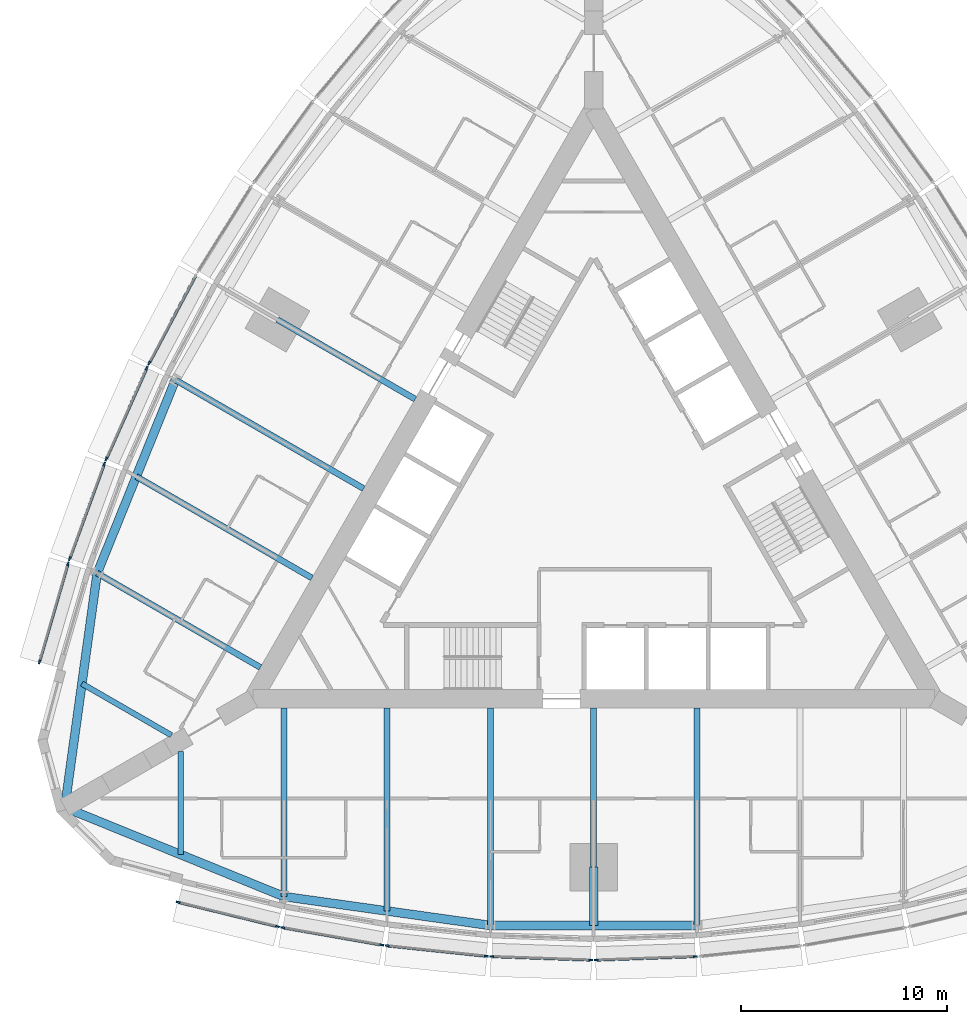
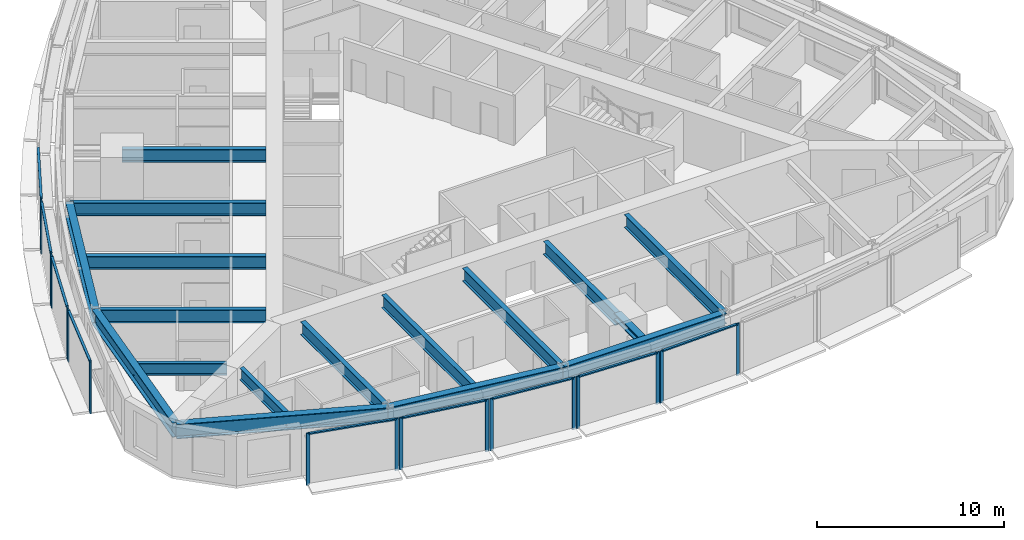
# One storey, part 2 of 14: 26 members, 17 beams, 9 elements without a shape of their own.
"""IFC4 building model written with IfcOpenShell, lengths in metres."""

from ifc_helpers import new_model, si_unit, direction, frame, origin, origin_2d, place, context, subcontext, project, spatial, rectangle, i_section, extrude, material, material_profile, profile_set, type_object, element, aggregate, save


model = new_model("IFC4")

# Units and contexts
model_context = context("Model", 3, precision=1e-05, world=origin(), true_north=direction((0.0, 1.0)))
body_context = subcontext(model_context, "Body", "Model", "MODEL_VIEW")
ifc_project = project(units=[si_unit("LENGTHUNIT", "METRE"), si_unit("AREAUNIT", "SQUARE_METRE"), si_unit("VOLUMEUNIT", "CUBIC_METRE"), si_unit("PLANEANGLEUNIT", "RADIAN"), si_unit("MASSUNIT", "GRAM", prefix="KILO")], contexts=[model_context])

# Site, building, storey
site_placement = place(None, origin())
site = spatial("IfcSite", under=ifc_project, at=site_placement, CompositionType="ELEMENT")
building_placement = place(site_placement, origin())
building = spatial("IfcBuilding", under=site, at=building_placement, Name="Trikona Tower", CompositionType="ELEMENT")
storey_placement = place(building_placement, frame((0.0, 0.0, 135.10009765625)))
storey = spatial("IfcBuildingStorey", under=building, at=storey_placement, Name="L35", CompositionType="ELEMENT", Elevation=135.10009765625)

# Curtain wall, members
ifc_material_1 = material(Name="Aluminium curtain wall system", Category="aluminium")
curtain_wall_type = type_object("IfcCurtainWallType", Name="Curtain wall DS2", PredefinedType="NOTDEFINED", material=ifc_material_1)
curtain_wall_1_placement = place(storey_placement, origin())
curtain_wall_1 = element("IfcCurtainWall", 1, at=curtain_wall_1_placement, inside=storey, type_object=curtain_wall_type, Name="Curtain wall DS2 L35", PredefinedType="NOTDEFINED")
ifc_material_2 = material(Name="Aluminium mullion, pale anodised", Category="aluminium")
ifc_material_profile_1 = material_profile(ifc_material_2, rectangle(XDim=0.080078125, YDim=0.199951171875, at=origin_2d()), Name="MUL-DS2")
ifc_profile_set_1 = profile_set([ifc_material_profile_1], Name="Aluminium mullion, pale anodised")
member_type_1 = type_object("IfcMemberType", Name="Mullion DS2 80x200", PredefinedType="MULLION", material=ifc_profile_set_1)
member_1_placement = place(storey_placement, frame((-20.116943359375, -19.373046875, 0.0), z_axis=(0.0, 0.0, 1.0), x_axis=(0.237970204243, 0.971272455026, 0.0)))
member_1 = element("IfcMember", 2, at=member_1_placement, type_object=member_type_1, Name="CW-DS2 mullion 1", PredefinedType="MULLION", context=body_context, shape_type="SweptSolid", body=[
    extrude(rectangle(XDim=0.080078125, YDim=0.199951171875, at=origin_2d()), origin(), (0.0, 0.0, 1.0), 3.39990234375),
])
member_2_placement = place(storey_placement, frame((-15.311279296875, -20.550537109375, 0.0), z_axis=(0.0, 0.0, 1.0), x_axis=(0.237970204243, 0.971272455026, 0.0)))
member_2 = element("IfcMember", 3, at=member_2_placement, type_object=member_type_1, Name="CW-DS2 mullion 2", PredefinedType="MULLION", context=body_context, shape_type="SweptSolid", body=[
    extrude(rectangle(XDim=0.080078125, YDim=0.199951171875, at=origin_2d()), origin(), (0.0, 0.0, 1.0), 3.39990234375),
])

curtain_wall_2_placement = place(storey_placement, origin())
curtain_wall_2 = element("IfcCurtainWall", 4, at=curtain_wall_2_placement, inside=storey, type_object=curtain_wall_type, Name="Curtain wall DS2 L35", PredefinedType="NOTDEFINED")
member_3_placement = place(storey_placement, frame((-15.056640625, -20.60400390625, 0.0), z_axis=(0.0, 0.0, 1.0), x_axis=(0.17237739505, 0.985030981074, 0.0)))
member_3 = element("IfcMember", 5, at=member_3_placement, type_object=member_type_1, Name="CW-DS2 mullion 1", PredefinedType="MULLION", context=body_context, shape_type="SweptSolid", body=[
    extrude(rectangle(XDim=0.080078125, YDim=0.199951171875, at=origin_2d()), origin(), (0.0, 0.0, 1.0), 3.39990234375),
])
member_4_placement = place(storey_placement, frame((-10.253662109375, -21.444580078125, 0.0), z_axis=(0.0, 0.0, 1.0), x_axis=(0.17237739505, 0.985030981074, 0.0)))
member_4 = element("IfcMember", 6, at=member_4_placement, type_object=member_type_1, Name="CW-DS2 mullion 2", PredefinedType="MULLION", context=body_context, shape_type="SweptSolid", body=[
    extrude(rectangle(XDim=0.080078125, YDim=0.199951171875, at=origin_2d()), origin(), (0.0, 0.0, 1.0), 3.39990234375),
])

curtain_wall_3_placement = place(storey_placement, origin())
curtain_wall_3 = element("IfcCurtainWall", 7, at=curtain_wall_3_placement, inside=storey, type_object=curtain_wall_type, Name="Curtain wall DS2 L35", PredefinedType="NOTDEFINED")
member_5_placement = place(storey_placement, frame((-9.99462890625, -21.480712890625, 0.0), z_axis=(0.0, 0.0, 1.0), x_axis=(0.104433387357, 0.994531883654, 0.0)))
member_5 = element("IfcMember", 8, at=member_5_placement, type_object=member_type_1, Name="CW-DS2 mullion 1", PredefinedType="MULLION", context=body_context, shape_type="SweptSolid", body=[
    extrude(rectangle(XDim=0.080078125, YDim=0.199951171875, at=origin_2d()), origin(), (0.0, 0.0, 1.0), 3.39990234375),
])
member_6_placement = place(storey_placement, frame((-5.193359375, -21.98486328125, 0.0), z_axis=(0.0, 0.0, 1.0), x_axis=(0.104433387357, 0.994531883654, 0.0)))
member_6 = element("IfcMember", 9, at=member_6_placement, type_object=member_type_1, Name="CW-DS2 mullion 2", PredefinedType="MULLION", context=body_context, shape_type="SweptSolid", body=[
    extrude(rectangle(XDim=0.080078125, YDim=0.199951171875, at=origin_2d()), origin(), (0.0, 0.0, 1.0), 3.39990234375),
])

curtain_wall_4_placement = place(storey_placement, origin())
curtain_wall_4 = element("IfcCurtainWall", 10, at=curtain_wall_4_placement, inside=storey, type_object=curtain_wall_type, Name="Curtain wall DS2 L35", PredefinedType="NOTDEFINED")
member_7_placement = place(storey_placement, frame((-4.931640625, -22.003173828125, 0.0), z_axis=(0.0, 0.0, 1.0), x_axis=(0.034998320052, 0.99938737114, 0.0)))
member_7 = element("IfcMember", 11, at=member_7_placement, type_object=member_type_1, Name="CW-DS2 mullion 1", PredefinedType="MULLION", context=body_context, shape_type="SweptSolid", body=[
    extrude(rectangle(XDim=0.080078125, YDim=0.199951171875, at=origin_2d()), origin(), (0.0, 0.0, 1.0), 3.39990234375),
])
member_8_placement = place(storey_placement, frame((-0.13134765625, -22.171142578125, 0.0), z_axis=(0.0, 0.0, 1.0), x_axis=(0.034998320052, 0.99938737114, 0.0)))
member_8 = element("IfcMember", 12, at=member_8_placement, type_object=member_type_1, Name="CW-DS2 mullion 2", PredefinedType="MULLION", context=body_context, shape_type="SweptSolid", body=[
    extrude(rectangle(XDim=0.080078125, YDim=0.199951171875, at=origin_2d()), origin(), (0.0, 0.0, 1.0), 3.39990234375),
])

curtain_wall_5_placement = place(storey_placement, origin())
curtain_wall_5 = element("IfcCurtainWall", 13, at=curtain_wall_5_placement, inside=storey, type_object=curtain_wall_type, Name="Curtain wall DS2 L35", PredefinedType="NOTDEFINED")
member_9_placement = place(storey_placement, frame((0.13134765625, -22.171142578125, 0.0), z_axis=(0.0, 0.0, 1.0), x_axis=(-0.034998320052, 0.99938737114, 0.0)))
member_9 = element("IfcMember", 14, at=member_9_placement, type_object=member_type_1, Name="CW-DS2 mullion 1", PredefinedType="MULLION", context=body_context, shape_type="SweptSolid", body=[
    extrude(rectangle(XDim=0.080078125, YDim=0.199951171875, at=origin_2d()), origin(), (0.0, 0.0, 1.0), 3.39990234375),
])
member_10_placement = place(storey_placement, frame((4.931640625, -22.003173828125, 0.0), z_axis=(0.0, 0.0, 1.0), x_axis=(-0.034998320052, 0.99938737114, 0.0)))
member_10 = element("IfcMember", 15, at=member_10_placement, type_object=member_type_1, Name="CW-DS2 mullion 2", PredefinedType="MULLION", context=body_context, shape_type="SweptSolid", body=[
    extrude(rectangle(XDim=0.080078125, YDim=0.199951171875, at=origin_2d()), origin(), (0.0, 0.0, 1.0), 3.39990234375),
])

# Curtain wall, member
curtain_wall_6_placement = place(storey_placement, origin())
curtain_wall_6 = element("IfcCurtainWall", 16, at=curtain_wall_6_placement, inside=storey, type_object=curtain_wall_type, Name="Curtain wall DS2 L35", PredefinedType="NOTDEFINED")
member_11_placement = place(storey_placement, frame((-21.52099609375, 6.730712890625, 0.0), z_axis=(0.0, 0.0, 1.0), x_axis=(0.882996107343, -0.469380308937, 0.0)))
member_11 = element("IfcMember", 17, at=member_11_placement, type_object=member_type_1, Name="CW-DS2 mullion 2", PredefinedType="MULLION", context=body_context, shape_type="SweptSolid", body=[
    extrude(rectangle(XDim=0.080078125, YDim=0.199951171875, at=origin_2d()), origin(), (0.0, 0.0, 1.0), 3.39990234375),
])

# Curtain wall, members
curtain_wall_7_placement = place(storey_placement, origin())
curtain_wall_7 = element("IfcCurtainWall", 18, at=curtain_wall_7_placement, inside=storey, type_object=curtain_wall_type, Name="Curtain wall DS2 L35", PredefinedType="NOTDEFINED")
member_12_placement = place(storey_placement, frame((-21.63623046875, 6.494873046875, 0.0), z_axis=(0.0, 0.0, 1.0), x_axis=(0.913501208767, -0.406836013132, 0.0)))
member_12 = element("IfcMember", 19, at=member_12_placement, type_object=member_type_1, Name="CW-DS2 mullion 1", PredefinedType="MULLION", context=body_context, shape_type="SweptSolid", body=[
    extrude(rectangle(XDim=0.080078125, YDim=0.199951171875, at=origin_2d()), origin(), (0.0, 0.0, 1.0), 3.39990234375),
])
member_13_placement = place(storey_placement, frame((-23.60009765625, 2.0849609375, 0.0), z_axis=(0.0, 0.0, 1.0), x_axis=(0.913501208767, -0.406836013132, 0.0)))
member_13 = element("IfcMember", 20, at=member_13_placement, type_object=member_type_1, Name="CW-DS2 mullion 2", PredefinedType="MULLION", context=body_context, shape_type="SweptSolid", body=[
    extrude(rectangle(XDim=0.080078125, YDim=0.199951171875, at=origin_2d()), origin(), (0.0, 0.0, 1.0), 3.39990234375),
])

curtain_wall_8_placement = place(storey_placement, origin())
curtain_wall_8 = element("IfcCurtainWall", 21, at=curtain_wall_8_placement, inside=storey, type_object=curtain_wall_type, Name="Curtain wall DS2 L35", PredefinedType="NOTDEFINED")
member_14_placement = place(storey_placement, frame((-23.6982421875, 1.84228515625, 0.0), z_axis=(0.0, 0.0, 1.0), x_axis=(0.939253790978, -0.343223420143, 0.0)))
member_14 = element("IfcMember", 22, at=member_14_placement, type_object=member_type_1, Name="CW-DS2 mullion 1", PredefinedType="MULLION", context=body_context, shape_type="SweptSolid", body=[
    extrude(rectangle(XDim=0.080078125, YDim=0.199951171875, at=origin_2d()), origin(), (0.0, 0.0, 1.0), 3.39990234375),
])
member_15_placement = place(storey_placement, frame((-25.371826171875, -2.737548828125, 0.0), z_axis=(0.0, 0.0, 1.0), x_axis=(0.939253790978, -0.343223420143, 0.0)))
member_15 = element("IfcMember", 23, at=member_15_placement, type_object=member_type_1, Name="CW-DS2 mullion 2", PredefinedType="MULLION", context=body_context, shape_type="SweptSolid", body=[
    extrude(rectangle(XDim=0.080078125, YDim=0.199951171875, at=origin_2d()), origin(), (0.0, 0.0, 1.0), 3.39990234375),
])

curtain_wall_9_placement = place(storey_placement, origin())
curtain_wall_9 = element("IfcCurtainWall", 24, at=curtain_wall_9_placement, inside=storey, type_object=curtain_wall_type, Name="Curtain wall DS2 L35", PredefinedType="NOTDEFINED")
member_16_placement = place(storey_placement, frame((-25.452880859375, -2.984619140625, 0.0), z_axis=(0.0, 0.0, 1.0), x_axis=(0.96013310152, -0.279543247757, 0.0)))
member_16 = element("IfcMember", 25, at=member_16_placement, type_object=member_type_1, Name="CW-DS2 mullion 1", PredefinedType="MULLION", context=body_context, shape_type="SweptSolid", body=[
    extrude(rectangle(XDim=0.080078125, YDim=0.199951171875, at=origin_2d()), origin(), (0.0, 0.0, 1.0), 3.39990234375),
])
member_17_placement = place(storey_placement, frame((-26.836181640625, -7.7353515625, 0.0), z_axis=(0.0, 0.0, 1.0), x_axis=(0.96013310152, -0.279543247757, 0.0)))
member_17 = element("IfcMember", 26, at=member_17_placement, type_object=member_type_1, Name="CW-DS2 mullion 2", PredefinedType="MULLION", context=body_context, shape_type="SweptSolid", body=[
    extrude(rectangle(XDim=0.080078125, YDim=0.199951171875, at=origin_2d()), origin(), (0.0, 0.0, 1.0), 3.39990234375),
])

# Beams
ifc_material_3 = material(Name="Steel ASTM A992 Grade 50", Category="steel")
ifc_material_profile_2 = material_profile(ifc_material_3, i_section(OverallWidth=0.419189453125, OverallDepth=0.45458984375, WebThickness=0.042236328125, FlangeThickness=0.067626953125, at=origin_2d()), Name="W14X370")
ifc_profile_set_2 = profile_set([ifc_material_profile_2], Name="Steel ASTM A992 Grade 50")
beam_type_1 = type_object("IfcBeamType", Name="Steel beam W14x370 (apex bracket)", PredefinedType="BEAM", material=ifc_profile_set_2)
beam_1_placement = place(storey_placement, frame((0.0, -17.680419921875, 3.007568359375), z_axis=(0.0, -1.0, 0.0), x_axis=(1.0, 0.0, 0.0)))
element("IfcBeam", 27, at=beam_1_placement, inside=storey, type_object=beam_type_1, Name="Cantilever bracket L36 F1", PredefinedType="BEAM", context=body_context, shape_type="SweptSolid", body=[
    extrude(i_section(OverallWidth=0.419189453125, OverallDepth=0.45458984375, WebThickness=0.042236328125, FlangeThickness=0.067626953125, at=origin_2d()), origin(), (0.0, 0.0, 1.0), 2.81982421875),
])
ifc_material_4 = material(Name="Steel ASTM A992 Grade 50", Category="steel")
ifc_material_profile_3 = material_profile(ifc_material_4, i_section(OverallWidth=0.2666015625, OverallDepth=0.76953125, WebThickness=0.015625, FlangeThickness=0.025390625, at=origin_2d()), Name="W30X132")
ifc_profile_set_3 = profile_set([ifc_material_profile_3], Name="Steel ASTM A992 Grade 50")
beam_type_2 = type_object("IfcBeamType", Name="Steel beam W30x132 (wedge)", PredefinedType="BEAM", material=ifc_profile_set_3)
beam_2_placement = place(storey_placement, frame((-20.0, -12.066650390625, 2.85009765625), z_axis=(0.0, -1.0, 0.0), x_axis=(1.0, 0.0, 0.0)))
element("IfcBeam", 28, at=beam_2_placement, inside=storey, type_object=beam_type_2, Name="Floor beam L36 F1 u-20", PredefinedType="BEAM", context=body_context, shape_type="SweptSolid", body=[
    extrude(i_section(OverallWidth=0.2666015625, OverallDepth=0.76953125, WebThickness=0.015625, FlangeThickness=0.025390625, at=origin_2d()), origin(), (0.0, 0.0, 1.0), 5.00048828125),
])
beam_3_placement = place(storey_placement, frame((-20.449951171875, -11.287109375, 2.85009765625), z_axis=(-0.866038434829, 0.49997742889, 0.0), x_axis=(-0.49997742889, -0.866038434829, 0.0)))
element("IfcBeam", 29, at=beam_3_placement, inside=storey, type_object=beam_type_2, Name="Floor beam L36 F3 u20", PredefinedType="BEAM", context=body_context, shape_type="SweptSolid", body=[
    extrude(i_section(OverallWidth=0.2666015625, OverallDepth=0.76953125, WebThickness=0.015625, FlangeThickness=0.025390625, at=origin_2d()), origin(), (0.0, 0.0, 1.0), 5.000732421875),
])
ifc_material_5 = material(Name="Steel ASTM A992 Grade 50", Category="steel")
ifc_material_profile_4 = material_profile(ifc_material_5, i_section(OverallWidth=0.2919921875, OverallDepth=0.845703125, WebThickness=0.015380859375, FlangeThickness=0.0244140625, at=origin_2d()), Name="W33X141")
ifc_profile_set_4 = profile_set([ifc_material_profile_4], Name="Steel ASTM A992 Grade 50")
beam_type_3 = type_object("IfcBeamType", Name="Steel beam W33x141 (radial typ)", PredefinedType="BEAM", material=ifc_profile_set_4)
beam_4_placement = place(storey_placement, frame((-15.0, -9.976318359375, 2.81201171875), z_axis=(0.0, -1.0, 0.0), x_axis=(1.0, 0.0, 0.0)))
element("IfcBeam", 30, at=beam_4_placement, inside=storey, type_object=beam_type_3, Name="Floor beam L36 F1 u-15", PredefinedType="BEAM", context=body_context, shape_type="SweptSolid", body=[
    extrude(i_section(OverallWidth=0.2919921875, OverallDepth=0.845703125, WebThickness=0.015380859375, FlangeThickness=0.0244140625, at=origin_2d()), origin(), (0.0, 0.0, 1.0), 9.123779296875),
])
beam_5_placement = place(storey_placement, frame((-10.0, -9.976318359375, 2.81201171875), z_axis=(0.0, -1.0, 0.0), x_axis=(1.0, 0.0, 0.0)))
element("IfcBeam", 31, at=beam_5_placement, inside=storey, type_object=beam_type_3, Name="Floor beam L36 F1 u-10", PredefinedType="BEAM", context=body_context, shape_type="SweptSolid", body=[
    extrude(i_section(OverallWidth=0.2919921875, OverallDepth=0.845703125, WebThickness=0.015380859375, FlangeThickness=0.0244140625, at=origin_2d()), origin(), (0.0, 0.0, 1.0), 9.823974609375),
])
beam_6_placement = place(storey_placement, frame((-5.0, -9.976318359375, 2.81201171875), z_axis=(0.0, -1.0, 0.0), x_axis=(1.0, 0.0, 0.0)))
element("IfcBeam", 32, at=beam_6_placement, inside=storey, type_object=beam_type_3, Name="Floor beam L36 F1 u-5", PredefinedType="BEAM", context=body_context, shape_type="SweptSolid", body=[
    extrude(i_section(OverallWidth=0.2919921875, OverallDepth=0.845703125, WebThickness=0.015380859375, FlangeThickness=0.0244140625, at=origin_2d()), origin(), (0.0, 0.0, 1.0), 10.52392578125),
])
beam_7_placement = place(storey_placement, frame((0.0, -9.976318359375, 2.81201171875), z_axis=(0.0, -1.0, 0.0), x_axis=(1.0, 0.0, 0.0)))
element("IfcBeam", 33, at=beam_7_placement, inside=storey, type_object=beam_type_3, Name="Floor beam L36 F1 u0", PredefinedType="BEAM", context=body_context, shape_type="SweptSolid", body=[
    extrude(i_section(OverallWidth=0.2919921875, OverallDepth=0.845703125, WebThickness=0.015380859375, FlangeThickness=0.0244140625, at=origin_2d()), origin(), (0.0, 0.0, 1.0), 7.7041015625),
])
beam_8_placement = place(storey_placement, frame((5.0, -9.976318359375, 2.81201171875), z_axis=(0.0, -1.0, 0.0), x_axis=(1.0, 0.0, 0.0)))
element("IfcBeam", 34, at=beam_8_placement, inside=storey, type_object=beam_type_3, Name="Floor beam L36 F1 u5", PredefinedType="BEAM", context=body_context, shape_type="SweptSolid", body=[
    extrude(i_section(OverallWidth=0.2919921875, OverallDepth=0.845703125, WebThickness=0.015380859375, FlangeThickness=0.0244140625, at=origin_2d()), origin(), (0.0, 0.0, 1.0), 10.52392578125),
])
beam_9_placement = place(storey_placement, frame((-8.6396484375, 4.988037109375, 2.81201171875), z_axis=(-0.866017246294, 0.500014128921, 0.0), x_axis=(-0.500014128921, -0.866017246294, 0.0)))
element("IfcBeam", 35, at=beam_9_placement, inside=storey, type_object=beam_type_3, Name="Floor beam L36 F3 u0", PredefinedType="BEAM", context=body_context, shape_type="SweptSolid", body=[
    extrude(i_section(OverallWidth=0.2919921875, OverallDepth=0.845703125, WebThickness=0.015380859375, FlangeThickness=0.0244140625, at=origin_2d()), origin(), (0.0, 0.0, 1.0), 7.704345703125),
])
beam_10_placement = place(storey_placement, frame((-11.1396484375, 0.657958984375, 2.81201171875), z_axis=(-0.866026035623, 0.499998905622, 0.0), x_axis=(-0.499998905622, -0.866026035623, 0.0)))
element("IfcBeam", 36, at=beam_10_placement, inside=storey, type_object=beam_type_3, Name="Floor beam L36 F3 u5", PredefinedType="BEAM", context=body_context, shape_type="SweptSolid", body=[
    extrude(i_section(OverallWidth=0.2919921875, OverallDepth=0.845703125, WebThickness=0.015380859375, FlangeThickness=0.0244140625, at=origin_2d()), origin(), (0.0, 0.0, 1.0), 10.52392578125),
])
beam_11_placement = place(storey_placement, frame((-13.6396484375, -3.672119140625, 2.81201171875), z_axis=(-0.866020046725, 0.500009278584, 0.0), x_axis=(-0.500009278584, -0.866020046725, 0.0)))
element("IfcBeam", 37, at=beam_11_placement, inside=storey, type_object=beam_type_3, Name="Floor beam L36 F3 u10", PredefinedType="BEAM", context=body_context, shape_type="SweptSolid", body=[
    extrude(i_section(OverallWidth=0.2919921875, OverallDepth=0.845703125, WebThickness=0.015380859375, FlangeThickness=0.0244140625, at=origin_2d()), origin(), (0.0, 0.0, 1.0), 9.823974609375),
])
beam_12_placement = place(storey_placement, frame((-16.1396484375, -8.002197265625, 2.81201171875), z_axis=(-0.866024725532, 0.500001174766, 0.0), x_axis=(-0.500001174766, -0.866024725532, 0.0)))
element("IfcBeam", 38, at=beam_12_placement, inside=storey, type_object=beam_type_3, Name="Floor beam L36 F3 u15", PredefinedType="BEAM", context=body_context, shape_type="SweptSolid", body=[
    extrude(i_section(OverallWidth=0.2919921875, OverallDepth=0.845703125, WebThickness=0.015380859375, FlangeThickness=0.0244140625, at=origin_2d()), origin(), (0.0, 0.0, 1.0), 9.1240234375),
])
ifc_material_6 = material(Name="Steel ASTM A992 Grade 50", Category="steel")
ifc_material_profile_5 = material_profile(ifc_material_6, i_section(OverallWidth=0.424072265625, OverallDepth=0.947509765625, WebThickness=0.02392578125, FlangeThickness=0.042724609375, at=origin_2d()), Name="W36X302")
ifc_profile_set_5 = profile_set([ifc_material_profile_5], Name="Steel ASTM A992 Grade 50")
beam_type_4 = type_object("IfcBeamType", Name="Steel beam W36x302 (spandrel)", PredefinedType="SPANDREL", material=ifc_profile_set_5)
beam_13_placement = place(storey_placement, frame((-25.6103515625, -14.7861328125, 2.76123046875), z_axis=(0.926359695662, -0.376640032728, 0.0), x_axis=(0.376640032728, 0.926359695662, 0.0)))
element("IfcBeam", 39, at=beam_13_placement, inside=storey, type_object=beam_type_4, Name="Spandrel beam L36 F1-1", PredefinedType="SPANDREL", context=body_context, shape_type="SweptSolid", body=[
    extrude(i_section(OverallWidth=0.424072265625, OverallDepth=0.947509765625, WebThickness=0.02392578125, FlangeThickness=0.042724609375, at=origin_2d()), origin(), (0.0, 0.0, 1.0), 11.453857421875),
])
beam_14_placement = place(storey_placement, frame((-15.0, -19.10009765625, 2.76123046875), z_axis=(0.990339754644, -0.13866207258, 0.0), x_axis=(0.13866207258, 0.990339754644, 0.0)))
element("IfcBeam", 40, at=beam_14_placement, inside=storey, type_object=beam_type_4, Name="Spandrel beam L36 F1-2", PredefinedType="SPANDREL", context=body_context, shape_type="SweptSolid", body=[
    extrude(i_section(OverallWidth=0.424072265625, OverallDepth=0.947509765625, WebThickness=0.02392578125, FlangeThickness=0.042724609375, at=origin_2d()), origin(), (0.0, 0.0, 1.0), 10.09765625),
])
beam_15_placement = place(storey_placement, frame((-5.0, -20.500244140625, 2.76123046875), z_axis=(1.0, 0.0, 0.0), x_axis=(0.0, 1.0, 0.0)))
element("IfcBeam", 41, at=beam_15_placement, inside=storey, type_object=beam_type_4, Name="Spandrel beam L36 F1-3", PredefinedType="SPANDREL", context=body_context, shape_type="SweptSolid", body=[
    extrude(i_section(OverallWidth=0.424072265625, OverallDepth=0.947509765625, WebThickness=0.02392578125, FlangeThickness=0.042724609375, at=origin_2d()), origin(), (0.0, 0.0, 1.0), 10.0),
])
beam_16_placement = place(storey_placement, frame((-20.253662109375, 5.919921875, 2.76123046875), z_axis=(-0.375106193787, -0.926981846307, 0.0), x_axis=(0.926981846307, -0.375106193787, 0.0)))
element("IfcBeam", 42, at=beam_16_placement, inside=storey, type_object=beam_type_4, Name="Spandrel beam L36 F3-4", PredefinedType="SPANDREL", context=body_context, shape_type="SweptSolid", body=[
    extrude(i_section(OverallWidth=0.424072265625, OverallDepth=0.947509765625, WebThickness=0.02392578125, FlangeThickness=0.042724609375, at=origin_2d()), origin(), (0.0, 0.0, 1.0), 10.097412109375),
])
beam_17_placement = place(storey_placement, frame((-24.041259765625, -3.440185546875, 2.76123046875), z_axis=(-0.136991535842, -0.990572218017, 0.0), x_axis=(0.990572218017, -0.136991535842, 0.0)))
element("IfcBeam", 43, at=beam_17_placement, inside=storey, type_object=beam_type_4, Name="Spandrel beam L36 F3-5", PredefinedType="SPANDREL", context=body_context, shape_type="SweptSolid", body=[
    extrude(i_section(OverallWidth=0.424072265625, OverallDepth=0.947509765625, WebThickness=0.02392578125, FlangeThickness=0.042724609375, at=origin_2d()), origin(), (0.0, 0.0, 1.0), 11.453857421875),
])

# Member
ifc_material_7 = material(Name="Aluminium transom, pale anodised", Category="aluminium")
ifc_material_profile_6 = material_profile(ifc_material_7, rectangle(XDim=0.139892578125, YDim=0.080078125, at=origin_2d()), Name="TRN-DS2")
ifc_profile_set_6 = profile_set([ifc_material_profile_6], Name="Aluminium transom, pale anodised")
member_type_2 = type_object("IfcMemberType", Name="Transom DS2 80x140", PredefinedType="USERDEFINED", material=ifc_profile_set_6)
member_18_placement = place(storey_placement, frame((-20.078125, -19.382568359375, 3.35986328125), z_axis=(0.971270583303, -0.237977843528, 0.0), x_axis=(0.237977843528, 0.971270583303, 0.0)))
member_18 = element("IfcMember", 44, at=member_18_placement, type_object=member_type_2, Name="CW-DS2 transom 1.1", ObjectType="TRANSOM", PredefinedType="USERDEFINED", context=body_context, shape_type="SweptSolid", body=[
    extrude(rectangle(XDim=0.139892578125, YDim=0.080078125, at=origin_2d()), origin(), (0.0, 0.0, 1.0), 4.867919921875),
])

aggregate(curtain_wall_1, [member_1, member_2, member_18])

member_19_placement = place(storey_placement, frame((-15.01708984375, -20.61083984375, 3.35986328125), z_axis=(0.98503262804, -0.172367983387, 0.0), x_axis=(0.172367983387, 0.98503262804, 0.0)))
member_19 = element("IfcMember", 45, at=member_19_placement, type_object=member_type_2, Name="CW-DS2 transom 1.1", ObjectType="TRANSOM", PredefinedType="USERDEFINED", context=body_context, shape_type="SweptSolid", body=[
    extrude(rectangle(XDim=0.139892578125, YDim=0.080078125, at=origin_2d()), origin(), (0.0, 0.0, 1.0), 4.7958984375),
])

aggregate(curtain_wall_2, [member_3, member_4, member_19])

member_20_placement = place(storey_placement, frame((-9.954833984375, -21.48486328125, 3.35986328125), z_axis=(0.99453106441, -0.104441188822, 0.0), x_axis=(0.104441188822, 0.99453106441, 0.0)))
member_20 = element("IfcMember", 46, at=member_20_placement, type_object=member_type_2, Name="CW-DS2 transom 1.1", ObjectType="TRANSOM", PredefinedType="USERDEFINED", context=body_context, shape_type="SweptSolid", body=[
    extrude(rectangle(XDim=0.139892578125, YDim=0.080078125, at=origin_2d()), origin(), (0.0, 0.0, 1.0), 4.74755859375),
])

aggregate(curtain_wall_3, [member_5, member_6, member_20])

member_21_placement = place(storey_placement, frame((-4.8916015625, -22.00439453125, 3.35986328125), z_axis=(0.999385692759, -0.035046213908, 0.0), x_axis=(0.035046213908, 0.999385692759, 0.0)))
member_21 = element("IfcMember", 47, at=member_21_placement, type_object=member_type_2, Name="CW-DS2 transom 1.1", ObjectType="TRANSOM", PredefinedType="USERDEFINED", context=body_context, shape_type="SweptSolid", body=[
    extrude(rectangle(XDim=0.139892578125, YDim=0.080078125, at=origin_2d()), origin(), (0.0, 0.0, 1.0), 4.72314453125),
])

aggregate(curtain_wall_4, [member_7, member_8, member_21])

member_22_placement = place(storey_placement, frame((0.17138671875, -22.169921875, 3.35986328125), z_axis=(0.999385692759, 0.035046213908, 0.0), x_axis=(-0.035046213908, 0.999385692759, 0.0)))
member_22 = element("IfcMember", 48, at=member_22_placement, type_object=member_type_2, Name="CW-DS2 transom 1.1", ObjectType="TRANSOM", PredefinedType="USERDEFINED", context=body_context, shape_type="SweptSolid", body=[
    extrude(rectangle(XDim=0.139892578125, YDim=0.080078125, at=origin_2d()), origin(), (0.0, 0.0, 1.0), 4.72314453125),
])

aggregate(curtain_wall_5, [member_9, member_10, member_22])

member_23_placement = place(storey_placement, frame((-19.285400390625, 10.9365234375, 3.35986328125), z_axis=(-0.469364343408, -0.883004594063, 0.0), x_axis=(0.883004594063, -0.469364343408, 0.0)))
member_23 = element("IfcMember", 49, at=member_23_placement, type_object=member_type_2, Name="CW-DS2 transom 1.1", ObjectType="TRANSOM", PredefinedType="USERDEFINED", context=body_context, shape_type="SweptSolid", body=[
    extrude(rectangle(XDim=0.139892578125, YDim=0.080078125, at=origin_2d()), origin(), (0.0, 0.0, 1.0), 4.722900390625),
])

aggregate(curtain_wall_6, [member_11, member_23])

member_24_placement = place(storey_placement, frame((-21.65234375, 6.458251953125, 3.35986328125), z_axis=(-0.406839769607, -0.913499535778, 0.0), x_axis=(0.913499535778, -0.406839769607, 0.0)))
member_24 = element("IfcMember", 50, at=member_24_placement, type_object=member_type_2, Name="CW-DS2 transom 1.1", ObjectType="TRANSOM", PredefinedType="USERDEFINED", context=body_context, shape_type="SweptSolid", body=[
    extrude(rectangle(XDim=0.139892578125, YDim=0.080078125, at=origin_2d()), origin(), (0.0, 0.0, 1.0), 4.747314453125),
])

aggregate(curtain_wall_7, [member_12, member_13, member_24])

member_25_placement = place(storey_placement, frame((-23.712158203125, 1.8046875, 3.35986328125), z_axis=(-0.343205907674, -0.939260190223, 0.0), x_axis=(0.939260190223, -0.343205907674, 0.0)))
member_25 = element("IfcMember", 51, at=member_25_placement, type_object=member_type_2, Name="CW-DS2 transom 1.1", ObjectType="TRANSOM", PredefinedType="USERDEFINED", context=body_context, shape_type="SweptSolid", body=[
    extrude(rectangle(XDim=0.139892578125, YDim=0.080078125, at=origin_2d()), origin(), (0.0, 0.0, 1.0), 4.7958984375),
])

aggregate(curtain_wall_8, [member_14, member_15, member_25])

member_26_placement = place(storey_placement, frame((-25.464111328125, -3.023193359375, 3.35986328125), z_axis=(-0.279566628153, -0.960126293996, 0.0), x_axis=(0.960126293996, -0.279566628153, 0.0)))
member_26 = element("IfcMember", 52, at=member_26_placement, type_object=member_type_2, Name="CW-DS2 transom 1.1", ObjectType="TRANSOM", PredefinedType="USERDEFINED", context=body_context, shape_type="SweptSolid", body=[
    extrude(rectangle(XDim=0.139892578125, YDim=0.080078125, at=origin_2d()), origin(), (0.0, 0.0, 1.0), 4.86767578125),
])

aggregate(curtain_wall_9, [member_16, member_17, member_26])

save(model, "model.ifc")
